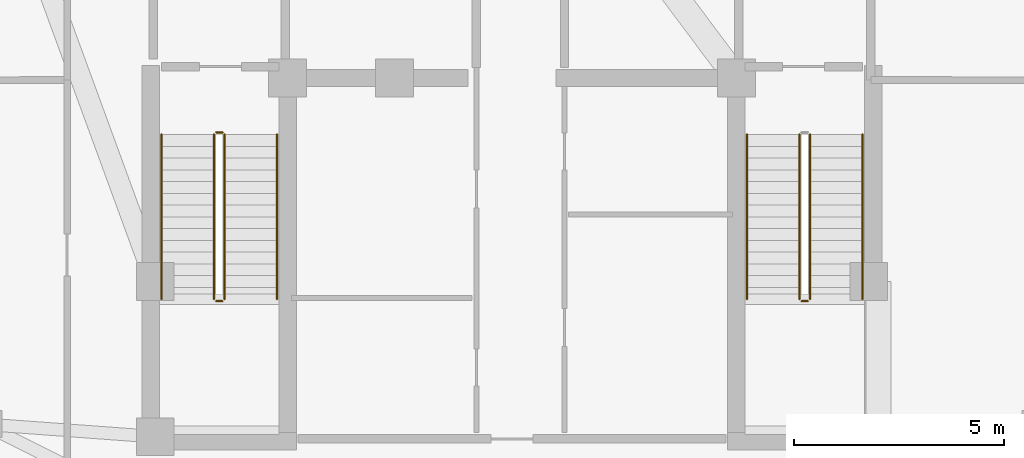
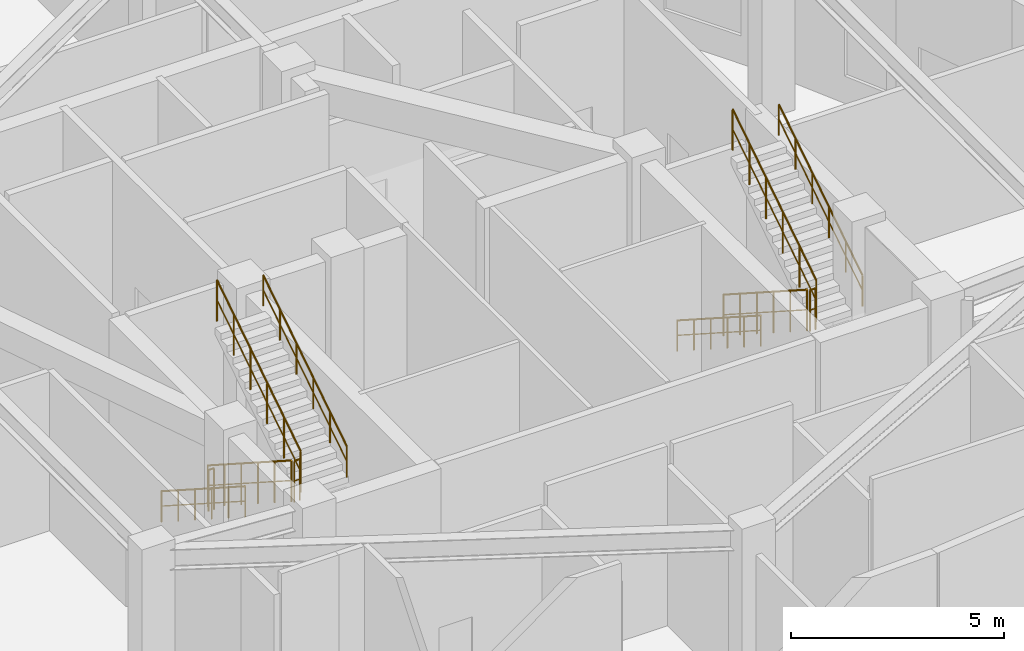
# One storey, part 8 of 11: 11 railings.
"""IFC4 building model written with IfcOpenShell, lengths in metres."""

from ifc_helpers import new_model, si_unit, direction, frame, origin, origin_2d, place, context, subcontext, project, spatial, circle, extrude, material, type_object, element, save


model = new_model("IFC4")

# Units and contexts
model_context = context("Model", 3, precision=1e-05, world=origin(), true_north=direction((0.0, 1.0)))
body_context = subcontext(model_context, "Body", "Model", "MODEL_VIEW")
ifc_project = project(units=[si_unit("LENGTHUNIT", "METRE"), si_unit("AREAUNIT", "SQUARE_METRE"), si_unit("VOLUMEUNIT", "CUBIC_METRE"), si_unit("PLANEANGLEUNIT", "RADIAN"), si_unit("MASSUNIT", "GRAM", prefix="KILO")], contexts=[model_context])

# Site, building, storey
site_placement = place(None, origin())
site = spatial("IfcSite", under=ifc_project, at=site_placement, CompositionType="ELEMENT")
building_placement = place(site_placement, origin())
building = spatial("IfcBuilding", under=site, at=building_placement, Name="Miruveldt Soraemaru", CompositionType="ELEMENT")
storey_placement = place(building_placement, frame((0.0, 0.0, 295.39990234375)))
storey = spatial("IfcBuildingStorey", under=building, at=storey_placement, Name="L79", CompositionType="ELEMENT", Elevation=295.39990234375)

# Railings
ifc_material = material(Name="Steel S355 (355 MPa)", Category="steel")
railing_type_1 = type_object("IfcRailingType", Name="RAIL-HR-900", PredefinedType="HANDRAIL", material=ifc_material)
railing_1_placement = place(storey_placement, frame((35.64990234375, 42.699951171875, 0.18017578125)))
element("IfcRailing", 1, at=railing_1_placement, inside=storey, type_object=railing_type_1, Name="L79 ST-1 stair handrail 1", PredefinedType="HANDRAIL", context=body_context, shape_type="SweptSolid", body=[
    extrude(circle(Radius=0.02392578125, at=origin_2d()), frame((0.0, 0.0, 0.8759765625), z_axis=(0.0, -0.841171666519, 0.540768182723), x_axis=(1.0, 0.0, 0.0)), (0.0, 0.0, 1.0), 4.66015625),
    extrude(circle(Radius=0.01611328125, at=origin_2d()), frame((0.0, 0.0, 0.449951171875), z_axis=(0.0, -0.841171666519, 0.540768182723), x_axis=(1.0, 0.0, 0.0)), (0.0, 0.0, 1.0), 4.66015625),
    extrude(circle(Radius=0.02099609375, at=origin_2d()), origin(), (0.0, 0.0, 1.0), 0.851806640625),
    extrude(circle(Radius=0.02099609375, at=origin_2d()), frame((0.0, -0.783935546875, 0.50390625)), (0.0, 0.0, 1.0), 0.851806640625),
    extrude(circle(Radius=0.02099609375, at=origin_2d()), frame((0.0, -1.56787109375, 1.008056640625)), (0.0, 0.0, 1.0), 0.851806640625),
    extrude(circle(Radius=0.02099609375, at=origin_2d()), frame((0.0, -2.35205078125, 1.511962890625)), (0.0, 0.0, 1.0), 0.851806640625),
    extrude(circle(Radius=0.02099609375, at=origin_2d()), frame((0.0, -3.135986328125, 2.01611328125)), (0.0, 0.0, 1.0), 0.851806640625),
    extrude(circle(Radius=0.02099609375, at=origin_2d()), frame((0.0, -3.919921875, 2.52001953125)), (0.0, 0.0, 1.0), 0.851806640625),
])
railing_2_placement = place(storey_placement, frame((38.39990234375, 38.780029296875, 2.880126953125)))
element("IfcRailing", 2, at=railing_2_placement, inside=storey, type_object=railing_type_1, Name="L79 ST-1 stair handrail 2", PredefinedType="HANDRAIL", context=body_context, shape_type="SweptSolid", body=[
    extrude(circle(Radius=0.02392578125, at=origin_2d()), frame((0.0, 0.0, 0.8759765625), z_axis=(0.0, 0.841171666519, 0.540768182723), x_axis=(-1.0, 0.0, 0.0)), (0.0, 0.0, 1.0), 4.66015625),
    extrude(circle(Radius=0.01611328125, at=origin_2d()), frame((0.0, 0.0, 0.449951171875), z_axis=(0.0, 0.841171666519, 0.540768182723), x_axis=(-1.0, 0.0, 0.0)), (0.0, 0.0, 1.0), 4.66015625),
    extrude(circle(Radius=0.02099609375, at=origin_2d()), origin(), (0.0, 0.0, 1.0), 0.851806640625),
    extrude(circle(Radius=0.02099609375, at=origin_2d()), frame((0.0, 0.783935546875, 0.50390625)), (0.0, 0.0, 1.0), 0.851806640625),
    extrude(circle(Radius=0.02099609375, at=origin_2d()), frame((0.0, 1.56787109375, 1.008056640625)), (0.0, 0.0, 1.0), 0.851806640625),
    extrude(circle(Radius=0.02099609375, at=origin_2d()), frame((0.0, 2.35205078125, 1.511962890625)), (0.0, 0.0, 1.0), 0.851806640625),
    extrude(circle(Radius=0.02099609375, at=origin_2d()), frame((0.0, 3.135986328125, 2.01611328125)), (0.0, 0.0, 1.0), 0.851806640625),
    extrude(circle(Radius=0.02099609375, at=origin_2d()), frame((0.0, 3.919921875, 2.52001953125)), (0.0, 0.0, 1.0), 0.851806640625),
])
railing_3_placement = place(storey_placement, frame((49.60009765625, 42.699951171875, 0.18017578125)))
element("IfcRailing", 3, at=railing_3_placement, inside=storey, type_object=railing_type_1, Name="L79 ST-2 stair handrail 1", PredefinedType="HANDRAIL", context=body_context, shape_type="SweptSolid", body=[
    extrude(circle(Radius=0.02392578125, at=origin_2d()), frame((0.0, 0.0, 0.8759765625), z_axis=(0.0, -0.841171666519, 0.540768182723), x_axis=(1.0, 0.0, 0.0)), (0.0, 0.0, 1.0), 4.66015625),
    extrude(circle(Radius=0.01611328125, at=origin_2d()), frame((0.0, 0.0, 0.449951171875), z_axis=(0.0, -0.841171666519, 0.540768182723), x_axis=(1.0, 0.0, 0.0)), (0.0, 0.0, 1.0), 4.66015625),
    extrude(circle(Radius=0.02099609375, at=origin_2d()), origin(), (0.0, 0.0, 1.0), 0.851806640625),
    extrude(circle(Radius=0.02099609375, at=origin_2d()), frame((0.0, -0.783935546875, 0.50390625)), (0.0, 0.0, 1.0), 0.851806640625),
    extrude(circle(Radius=0.02099609375, at=origin_2d()), frame((0.0, -1.56787109375, 1.008056640625)), (0.0, 0.0, 1.0), 0.851806640625),
    extrude(circle(Radius=0.02099609375, at=origin_2d()), frame((0.0, -2.35205078125, 1.511962890625)), (0.0, 0.0, 1.0), 0.851806640625),
    extrude(circle(Radius=0.02099609375, at=origin_2d()), frame((0.0, -3.135986328125, 2.01611328125)), (0.0, 0.0, 1.0), 0.851806640625),
    extrude(circle(Radius=0.02099609375, at=origin_2d()), frame((0.0, -3.919921875, 2.52001953125)), (0.0, 0.0, 1.0), 0.851806640625),
])
railing_4_placement = place(storey_placement, frame((52.35009765625, 38.780029296875, 2.880126953125)))
element("IfcRailing", 4, at=railing_4_placement, inside=storey, type_object=railing_type_1, Name="L79 ST-2 stair handrail 2", PredefinedType="HANDRAIL", context=body_context, shape_type="SweptSolid", body=[
    extrude(circle(Radius=0.02392578125, at=origin_2d()), frame((0.0, 0.0, 0.8759765625), z_axis=(0.0, 0.841171666519, 0.540768182723), x_axis=(-1.0, 0.0, 0.0)), (0.0, 0.0, 1.0), 4.66015625),
    extrude(circle(Radius=0.01611328125, at=origin_2d()), frame((0.0, 0.0, 0.449951171875), z_axis=(0.0, 0.841171666519, 0.540768182723), x_axis=(-1.0, 0.0, 0.0)), (0.0, 0.0, 1.0), 4.66015625),
    extrude(circle(Radius=0.02099609375, at=origin_2d()), origin(), (0.0, 0.0, 1.0), 0.851806640625),
    extrude(circle(Radius=0.02099609375, at=origin_2d()), frame((0.0, 0.783935546875, 0.50390625)), (0.0, 0.0, 1.0), 0.851806640625),
    extrude(circle(Radius=0.02099609375, at=origin_2d()), frame((0.0, 1.56787109375, 1.008056640625)), (0.0, 0.0, 1.0), 0.851806640625),
    extrude(circle(Radius=0.02099609375, at=origin_2d()), frame((0.0, 2.35205078125, 1.511962890625)), (0.0, 0.0, 1.0), 0.851806640625),
    extrude(circle(Radius=0.02099609375, at=origin_2d()), frame((0.0, 3.135986328125, 2.01611328125)), (0.0, 0.0, 1.0), 0.851806640625),
    extrude(circle(Radius=0.02099609375, at=origin_2d()), frame((0.0, 3.919921875, 2.52001953125)), (0.0, 0.0, 1.0), 0.851806640625),
])
railing_type_2 = type_object("IfcRailingType", Name="RAIL-STGUARD-1200", PredefinedType="GUARDRAIL", material=ifc_material)
railing_5_placement = place(storey_placement, frame((36.89990234375, 42.699951171875, 0.18017578125)))
element("IfcRailing", 5, at=railing_5_placement, inside=storey, type_object=railing_type_2, Name="L79 ST-1 stair guard 1", PredefinedType="GUARDRAIL", context=body_context, shape_type="SweptSolid", body=[
    extrude(circle(Radius=0.02392578125, at=origin_2d()), frame((0.0, 0.0, 1.17578125), z_axis=(0.0, -0.841171666519, 0.540768182723), x_axis=(1.0, 0.0, 0.0)), (0.0, 0.0, 1.0), 4.66015625),
    extrude(circle(Radius=0.01611328125, at=origin_2d()), frame((0.0, 0.0, 0.60009765625), z_axis=(0.0, -0.841171666519, 0.540768182723), x_axis=(1.0, 0.0, 0.0)), (0.0, 0.0, 1.0), 4.66015625),
    extrude(circle(Radius=0.02099609375, at=origin_2d()), origin(), (0.0, 0.0, 1.0), 1.15185546875),
    extrude(circle(Radius=0.02099609375, at=origin_2d()), frame((0.0, -0.783935546875, 0.50390625)), (0.0, 0.0, 1.0), 1.15185546875),
    extrude(circle(Radius=0.02099609375, at=origin_2d()), frame((0.0, -1.56787109375, 1.008056640625)), (0.0, 0.0, 1.0), 1.15185546875),
    extrude(circle(Radius=0.02099609375, at=origin_2d()), frame((0.0, -2.35205078125, 1.511962890625)), (0.0, 0.0, 1.0), 1.15185546875),
    extrude(circle(Radius=0.02099609375, at=origin_2d()), frame((0.0, -3.135986328125, 2.01611328125)), (0.0, 0.0, 1.0), 1.15185546875),
    extrude(circle(Radius=0.02099609375, at=origin_2d()), frame((0.0, -3.919921875, 2.52001953125)), (0.0, 0.0, 1.0), 1.15185546875),
])
railing_6_placement = place(storey_placement, frame((36.949951171875, 38.72998046875, 2.7001953125)))
element("IfcRailing", 6, at=railing_6_placement, inside=storey, type_object=railing_type_2, Name="L79 ST-1 stair guard 2", PredefinedType="GUARDRAIL", context=body_context, shape_type="SweptSolid", body=[
    extrude(circle(Radius=0.02392578125, at=origin_2d()), frame((0.0, 0.0, 1.17578125), z_axis=(1.0, 0.0, 0.0), x_axis=(0.0, 1.0, 0.0)), (0.0, 0.0, 1.0), 0.150146484375),
    extrude(circle(Radius=0.01611328125, at=origin_2d()), frame((0.0, 0.0, 0.60009765625), z_axis=(1.0, 0.0, 0.0), x_axis=(0.0, 1.0, 0.0)), (0.0, 0.0, 1.0), 0.150146484375),
    extrude(circle(Radius=0.02099609375, at=origin_2d()), origin(), (0.0, 0.0, 1.0), 1.15185546875),
    extrude(circle(Radius=0.02099609375, at=origin_2d()), frame((0.150146484375, 0.0, 0.0)), (0.0, 0.0, 1.0), 1.15185546875),
])
railing_7_placement = place(storey_placement, frame((37.14990234375, 38.780029296875, 2.880126953125)))
element("IfcRailing", 7, at=railing_7_placement, inside=storey, type_object=railing_type_2, Name="L79 ST-1 stair guard 3", PredefinedType="GUARDRAIL", context=body_context, shape_type="SweptSolid", body=[
    extrude(circle(Radius=0.02392578125, at=origin_2d()), frame((0.0, 0.0, 1.17578125), z_axis=(0.0, 0.841171666519, 0.540768182723), x_axis=(-1.0, 0.0, 0.0)), (0.0, 0.0, 1.0), 4.66015625),
    extrude(circle(Radius=0.01611328125, at=origin_2d()), frame((0.0, 0.0, 0.60009765625), z_axis=(0.0, 0.841171666519, 0.540768182723), x_axis=(-1.0, 0.0, 0.0)), (0.0, 0.0, 1.0), 4.66015625),
    extrude(circle(Radius=0.02099609375, at=origin_2d()), origin(), (0.0, 0.0, 1.0), 1.15185546875),
    extrude(circle(Radius=0.02099609375, at=origin_2d()), frame((0.0, 0.783935546875, 0.50390625)), (0.0, 0.0, 1.0), 1.15185546875),
    extrude(circle(Radius=0.02099609375, at=origin_2d()), frame((0.0, 1.56787109375, 1.008056640625)), (0.0, 0.0, 1.0), 1.15185546875),
    extrude(circle(Radius=0.02099609375, at=origin_2d()), frame((0.0, 2.35205078125, 1.511962890625)), (0.0, 0.0, 1.0), 1.15185546875),
    extrude(circle(Radius=0.02099609375, at=origin_2d()), frame((0.0, 3.135986328125, 2.01611328125)), (0.0, 0.0, 1.0), 1.15185546875),
    extrude(circle(Radius=0.02099609375, at=origin_2d()), frame((0.0, 3.919921875, 2.52001953125)), (0.0, 0.0, 1.0), 1.15185546875),
])
railing_8_placement = place(storey_placement, frame((36.949951171875, 42.75, 0.0)))
element("IfcRailing", 8, at=railing_8_placement, inside=storey, type_object=railing_type_2, Name="L79 ST-1 stair guard 4", PredefinedType="GUARDRAIL", context=body_context, shape_type="SweptSolid", body=[
    extrude(circle(Radius=0.02392578125, at=origin_2d()), frame((0.0, 0.0, 1.17578125), z_axis=(1.0, 0.0, 0.0), x_axis=(0.0, 1.0, 0.0)), (0.0, 0.0, 1.0), 0.150146484375),
    extrude(circle(Radius=0.01611328125, at=origin_2d()), frame((0.0, 0.0, 0.60009765625), z_axis=(1.0, 0.0, 0.0), x_axis=(0.0, 1.0, 0.0)), (0.0, 0.0, 1.0), 0.150146484375),
    extrude(circle(Radius=0.02099609375, at=origin_2d()), origin(), (0.0, 0.0, 1.0), 1.15185546875),
    extrude(circle(Radius=0.02099609375, at=origin_2d()), frame((0.150146484375, 0.0, 0.0)), (0.0, 0.0, 1.0), 1.15185546875),
])
railing_9_placement = place(storey_placement, frame((50.85009765625, 42.699951171875, 0.18017578125)))
element("IfcRailing", 9, at=railing_9_placement, inside=storey, type_object=railing_type_2, Name="L79 ST-2 stair guard 1", PredefinedType="GUARDRAIL", context=body_context, shape_type="SweptSolid", body=[
    extrude(circle(Radius=0.02392578125, at=origin_2d()), frame((0.0, 0.0, 1.17578125), z_axis=(0.0, -0.841171666519, 0.540768182723), x_axis=(1.0, 0.0, 0.0)), (0.0, 0.0, 1.0), 4.66015625),
    extrude(circle(Radius=0.01611328125, at=origin_2d()), frame((0.0, 0.0, 0.60009765625), z_axis=(0.0, -0.841171666519, 0.540768182723), x_axis=(1.0, 0.0, 0.0)), (0.0, 0.0, 1.0), 4.66015625),
    extrude(circle(Radius=0.02099609375, at=origin_2d()), origin(), (0.0, 0.0, 1.0), 1.15185546875),
    extrude(circle(Radius=0.02099609375, at=origin_2d()), frame((0.0, -0.783935546875, 0.50390625)), (0.0, 0.0, 1.0), 1.15185546875),
    extrude(circle(Radius=0.02099609375, at=origin_2d()), frame((0.0, -1.56787109375, 1.008056640625)), (0.0, 0.0, 1.0), 1.15185546875),
    extrude(circle(Radius=0.02099609375, at=origin_2d()), frame((0.0, -2.35205078125, 1.511962890625)), (0.0, 0.0, 1.0), 1.15185546875),
    extrude(circle(Radius=0.02099609375, at=origin_2d()), frame((0.0, -3.135986328125, 2.01611328125)), (0.0, 0.0, 1.0), 1.15185546875),
    extrude(circle(Radius=0.02099609375, at=origin_2d()), frame((0.0, -3.919921875, 2.52001953125)), (0.0, 0.0, 1.0), 1.15185546875),
])
railing_10_placement = place(storey_placement, frame((50.89990234375, 38.72998046875, 2.7001953125)))
element("IfcRailing", 10, at=railing_10_placement, inside=storey, type_object=railing_type_2, Name="L79 ST-2 stair guard 2", PredefinedType="GUARDRAIL", context=body_context, shape_type="SweptSolid", body=[
    extrude(circle(Radius=0.02392578125, at=origin_2d()), frame((0.0, 0.0, 1.17578125), z_axis=(1.0, 0.0, 0.0), x_axis=(0.0, 1.0, 0.0)), (0.0, 0.0, 1.0), 0.150146484375),
    extrude(circle(Radius=0.01611328125, at=origin_2d()), frame((0.0, 0.0, 0.60009765625), z_axis=(1.0, 0.0, 0.0), x_axis=(0.0, 1.0, 0.0)), (0.0, 0.0, 1.0), 0.150146484375),
    extrude(circle(Radius=0.02099609375, at=origin_2d()), origin(), (0.0, 0.0, 1.0), 1.15185546875),
    extrude(circle(Radius=0.02099609375, at=origin_2d()), frame((0.150146484375, 0.0, 0.0)), (0.0, 0.0, 1.0), 1.15185546875),
])
railing_11_placement = place(storey_placement, frame((51.10009765625, 38.780029296875, 2.880126953125)))
element("IfcRailing", 11, at=railing_11_placement, inside=storey, type_object=railing_type_2, Name="L79 ST-2 stair guard 3", PredefinedType="GUARDRAIL", context=body_context, shape_type="SweptSolid", body=[
    extrude(circle(Radius=0.02392578125, at=origin_2d()), frame((0.0, 0.0, 1.17578125), z_axis=(0.0, 0.841171666519, 0.540768182723), x_axis=(-1.0, 0.0, 0.0)), (0.0, 0.0, 1.0), 4.66015625),
    extrude(circle(Radius=0.01611328125, at=origin_2d()), frame((0.0, 0.0, 0.60009765625), z_axis=(0.0, 0.841171666519, 0.540768182723), x_axis=(-1.0, 0.0, 0.0)), (0.0, 0.0, 1.0), 4.66015625),
    extrude(circle(Radius=0.02099609375, at=origin_2d()), origin(), (0.0, 0.0, 1.0), 1.15185546875),
    extrude(circle(Radius=0.02099609375, at=origin_2d()), frame((0.0, 0.783935546875, 0.50390625)), (0.0, 0.0, 1.0), 1.15185546875),
    extrude(circle(Radius=0.02099609375, at=origin_2d()), frame((0.0, 1.56787109375, 1.008056640625)), (0.0, 0.0, 1.0), 1.15185546875),
    extrude(circle(Radius=0.02099609375, at=origin_2d()), frame((0.0, 2.35205078125, 1.511962890625)), (0.0, 0.0, 1.0), 1.15185546875),
    extrude(circle(Radius=0.02099609375, at=origin_2d()), frame((0.0, 3.135986328125, 2.01611328125)), (0.0, 0.0, 1.0), 1.15185546875),
    extrude(circle(Radius=0.02099609375, at=origin_2d()), frame((0.0, 3.919921875, 2.52001953125)), (0.0, 0.0, 1.0), 1.15185546875),
])

save(model, "model.ifc")
